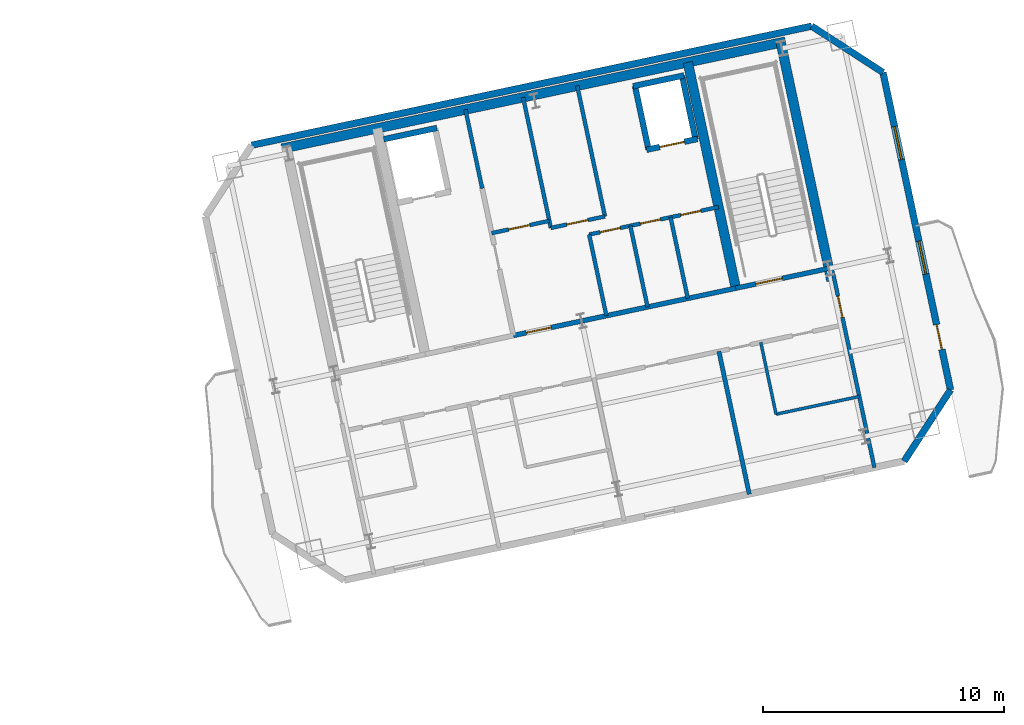
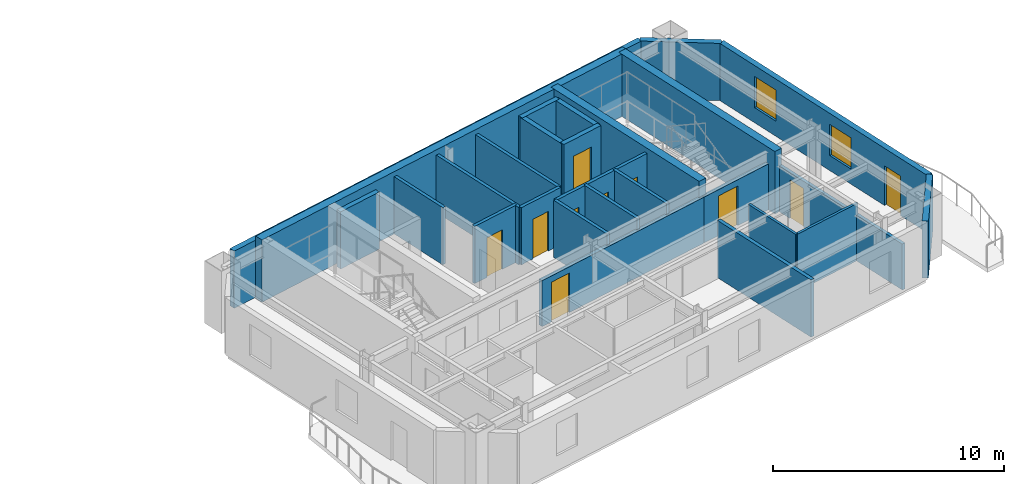
# One storey, part 8 of 13: 27 walls, 10 doors, 2 windows, 12 openings.
"""IFC4 building model written with IfcOpenShell, lengths in metres."""

import ifcopenshell
import ifcopenshell.guid

model = None  # the IFC model being written
_history = None  # IfcOwnerHistory: only IFC2X3 demands one
_inside = {}  # id of a spatial element -> (the spatial element, [elements in it])
_under = {}  # id of a project, library or spatial element -> (it, [spatial elements below it])
_declared = {}  # id of a project -> (the project, [libraries it declares])
_typed = {}  # id of a type object -> (the type object, [elements of that type])
_made_of = {}  # id of a material, layer set ... -> (it, [elements and type objects made of it])


def new_model(schema):
    """Start an empty IFC model of exactly this schema.

    Asked for "IFC4X3", IfcOpenShell would pick the latest addendum, in which some entities
    have other attributes; the version numbers below select the first issue.
    IFC2X3 requires an IfcOwnerHistory on every rooted entity: one is made here for all.
    """
    global model, _history
    if schema == "IFC4X3":
        model = ifcopenshell.file(schema_version=(4, 3, 0, 0))
    else:
        model = ifcopenshell.file(schema=schema)
    _inside.clear()
    _under.clear()
    _declared.clear()
    _typed.clear()
    _made_of.clear()
    _history = None
    if model.schema == "IFC2X3":
        org = make("IfcOrganization", Name="unknown")
        user = make(
            "IfcPersonAndOrganization",
            ThePerson=make("IfcPerson", FamilyName="unknown"),
            TheOrganization=org,
        )
        app = make(
            "IfcApplication",
            ApplicationDeveloper=org,
            Version="unknown",
            ApplicationFullName="unknown",
            ApplicationIdentifier="unknown",
        )
        _history = make(
            "IfcOwnerHistory",
            OwningUser=user,
            OwningApplication=app,
            ChangeAction="ADDED",
            CreationDate=0,
        )
    return model


def make(cls, **values):
    """One entity of the class cls with the attributes given. An attribute that is None is left unset."""
    return model.create_entity(
        cls, **{name: value for name, value in values.items() if value is not None}
    )


def rooted(cls, **values):
    """An entity with a GlobalId (a new one), such as an element, a storey or a relation."""
    return make(cls, GlobalId=ifcopenshell.guid.new(), OwnerHistory=_history, **values)


def si_unit(unit_type, name, prefix=None):
    """IfcSIUnit, for example si_unit("LENGTHUNIT", "METRE", prefix="MILLI")."""
    return make("IfcSIUnit", UnitType=unit_type, Prefix=prefix, Name=name)


def assignment(units):
    """IfcUnitAssignment: the units of a project."""
    return None if units is None else make("IfcUnitAssignment", Units=units)


def point(xyz):
    """IfcCartesianPoint."""
    return None if xyz is None else make("IfcCartesianPoint", Coordinates=xyz)


def direction(xyz):
    """IfcDirection."""
    return None if xyz is None else make("IfcDirection", DirectionRatios=xyz)


def frame(location, z_axis=None, x_axis=None):
    """IfcAxis2Placement3D, a coordinate frame: its origin and axes. An axis left out is left unset."""
    return make(
        "IfcAxis2Placement3D",
        Location=point(location),
        Axis=direction(z_axis),
        RefDirection=direction(x_axis),
    )


def frame_2d(location, x_axis=None):
    """IfcAxis2Placement2D, a coordinate frame in the plane: its origin and x axis."""
    return make(
        "IfcAxis2Placement2D", Location=point(location), RefDirection=direction(x_axis)
    )


def origin():
    """The frame at (0, 0, 0) with its axes left unset."""
    return frame((0.0, 0.0, 0.0))


def place(relative_to, where):
    """IfcLocalPlacement: puts the frame where relative to a parent placement (None: the world)."""
    return make(
        "IfcLocalPlacement", PlacementRelTo=relative_to, RelativePlacement=where
    )


def context(
    kind, dimensions, precision=None, world=None, true_north=None, identifier=None
):
    """IfcGeometricRepresentationContext, for example the 3D "Model" context."""
    return make(
        "IfcGeometricRepresentationContext",
        ContextIdentifier=identifier,
        ContextType=kind,
        CoordinateSpaceDimension=dimensions,
        Precision=precision,
        WorldCoordinateSystem=world,
        TrueNorth=true_north,
    )


def subcontext(parent, identifier, kind, view, scale=None):
    """IfcGeometricRepresentationSubContext, for example "Body" below "Model"."""
    return make(
        "IfcGeometricRepresentationSubContext",
        ContextIdentifier=identifier,
        ContextType=kind,
        ParentContext=parent,
        TargetScale=scale,
        TargetView=view,
    )


def project(units=None, contexts=None):
    """IfcProject with its units and contexts."""
    return rooted(
        "IfcProject",
        Name="project",
        RepresentationContexts=contexts,
        UnitsInContext=assignment(units),
    )


def spatial(cls, under=None, at=None, **own):
    """A site, building, storey or space (cls), placed at a placement, below another one or the project."""
    s = rooted(cls, ObjectPlacement=at, **own)
    if under is not None:
        _under.setdefault(under.id(), (under, []))[1].append(s)
    return s


def profile(cls, at=None, kind="AREA", **sizes):
    """A parametric profile (cls). Its sizes go by their IFC names, for example OverallWidth=200.0."""
    return make(cls, ProfileType=kind, Position=at, **sizes)


def rectangle(**sizes):
    """IfcRectangleProfileDef."""
    return profile("IfcRectangleProfileDef", **sizes)


def extrude(swept, where, along, depth):
    """IfcExtrudedAreaSolid: the profile swept, set in the frame where, extruded along a direction by depth."""
    return make(
        "IfcExtrudedAreaSolid",
        SweptArea=swept,
        Position=where,
        ExtrudedDirection=direction(along),
        Depth=depth,
    )


def shape(context_of_items, identifier, shape_type, items):
    """IfcShapeRepresentation: the items that make up one representation, for example the "Body"."""
    return make(
        "IfcShapeRepresentation",
        ContextOfItems=context_of_items,
        RepresentationIdentifier=identifier,
        RepresentationType=shape_type,
        Items=items,
    )


def material(Name=None, Category=None):
    """IfcMaterial."""
    return make("IfcMaterial", Name=Name, Category=Category)


def layer(
    of_material, thickness, ventilated=None, Name=None, Category=None, Priority=None
):
    """IfcMaterialLayer: one layer of a wall or slab, of a material (None: an air gap)."""
    return make(
        "IfcMaterialLayer",
        Material=of_material,
        LayerThickness=thickness,
        IsVentilated=ventilated,
        Name=Name,
        Category=Category,
        Priority=Priority,
    )


def layer_set(layers, Name=None):
    """IfcMaterialLayerSet."""
    return make("IfcMaterialLayerSet", MaterialLayers=layers, LayerSetName=Name)


def made_of(thing, what):
    """Note that an element or type object is made of a material, layer set ...; save() writes the relation."""
    if what is not None:
        _made_of.setdefault(what.id(), (what, []))[1].append(thing)
    return thing


def type_object(cls, material=None, **own):
    """A type object (cls), such as IfcWallType, which elements share."""
    return made_of(rooted(cls, **own), material)


def element(
    cls,
    number,
    at=None,
    inside=None,
    cuts=None,
    type_object=None,
    material=None,
    context=None,
    identifier="Body",
    shape_type=None,
    held_by="IfcProductDefinitionShape",
    body=None,
    shapes=None,
    **own,
):
    """One element of the class cls, such as IfcWall. Its Tag is "e" and its number.

    at: its placement. inside: the storey or other place that contains it. cuts: it is an
    opening in that element (IfcRelVoidsElement). A single representation is given by context,
    identifier, shape_type and body (its items); several are given by shapes. held_by: the class
    of the entity that holds the representations. save() writes the other relations.
    """
    e = rooted(cls, Tag="e%d" % number, ObjectPlacement=at, **own)
    if body is not None:
        shapes = [shape(context, identifier, shape_type, body)]
    if shapes is not None:
        e.Representation = make(held_by, Representations=shapes)
    if inside is not None:
        _inside.setdefault(inside.id(), (inside, []))[1].append(e)
    if cuts is not None:
        rooted(
            "IfcRelVoidsElement", RelatingBuildingElement=cuts, RelatedOpeningElement=e
        )
    if type_object is not None:
        _typed.setdefault(type_object.id(), (type_object, []))[1].append(e)
    return made_of(e, material)


def fill(opening, filler):
    """IfcRelFillsElement: the door or window that sits in an opening."""
    return rooted(
        "IfcRelFillsElement",
        RelatingOpeningElement=opening,
        RelatedBuildingElement=filler,
    )


def aggregate(whole, parts):
    """IfcRelAggregates: a whole, such as a stair, and the parts it consists of."""
    return rooted("IfcRelAggregates", RelatingObject=whole, RelatedObjects=parts)


def save(model, path):
    """Write the relations noted so far, then the file.

    IfcRelAggregates (storeys below a building ...), IfcRelContainedInSpatialStructure (elements
    in a storey), IfcRelDefinesByType, IfcRelAssociatesMaterial and IfcRelDeclares: one each for
    every whole, place, type object, material and project.
    """
    for whole, parts in _under.values():
        aggregate(whole, parts)
    for where, things in _inside.values():
        rooted(
            "IfcRelContainedInSpatialStructure",
            RelatedElements=things,
            RelatingStructure=where,
        )
    for kind, things in _typed.values():
        rooted("IfcRelDefinesByType", RelatedObjects=things, RelatingType=kind)
    for what, things in _made_of.values():
        rooted("IfcRelAssociatesMaterial", RelatedObjects=things, RelatingMaterial=what)
    for by, libraries in _declared.values():
        rooted("IfcRelDeclares", RelatingContext=by, RelatedDefinitions=libraries)
    model.write(path)


model = new_model("IFC4")

# Units and contexts
model_context = context("Model", 3, precision=1e-05, world=origin(), true_north=direction((0.0, 1.0)))
body_context = subcontext(model_context, "Body", "Model", "MODEL_VIEW")
ifc_project = project(units=[si_unit("LENGTHUNIT", "METRE"), si_unit("AREAUNIT", "SQUARE_METRE"), si_unit("VOLUMEUNIT", "CUBIC_METRE"), si_unit("PLANEANGLEUNIT", "RADIAN"), si_unit("MASSUNIT", "GRAM", prefix="KILO")], contexts=[model_context])

# Site, building, storey
site_placement = place(None, origin())
site = spatial("IfcSite", under=ifc_project, at=site_placement, CompositionType="ELEMENT")
building_placement = place(site_placement, origin())
building = spatial("IfcBuilding", under=site, at=building_placement, Name="Haevon Station Towers", CompositionType="ELEMENT")
storey_placement = place(building_placement, frame((0.0, 0.0, 222.0)))
storey = spatial("IfcBuildingStorey", under=building, at=storey_placement, Name="L61", CompositionType="ELEMENT", Elevation=222.0)

# Wall
ifc_material_1 = material(Name="Gypsum board on steel stud", Category="steel")
ifc_layer_1 = layer(ifc_material_1, 0.179931640625)
ifc_layer_set_1 = layer_set([ifc_layer_1], Name="Gypsum board on steel stud")
wall_type_1 = type_object("IfcWallType", Name="WL-ACU180", PredefinedType="PARTITIONING", material=ifc_layer_set_1)
wall_1_placement = place(storey_placement, frame((115.9892578125, 32.426513671875, 0.0), z_axis=(0.0, 0.0, 1.0), x_axis=(-0.207897237954, 0.978150672673, 0.0)))
element("IfcWall", 1, at=wall_1_placement, inside=storey, type_object=wall_type_1, Name="WL-T2PT-L61-09", PredefinedType="PARTITIONING", context=body_context, shape_type="SweptSolid", body=[
    extrude(rectangle(XDim=6.070068359375, YDim=0.179931640625, at=frame_2d((3.03515625, 0.0))), origin(), (0.0, 0.0, 1.0), 3.030029296875),
])

# Wall, opening, door
ifc_layer_2 = layer(ifc_material_1, 0.199951171875)
ifc_layer_set_2 = layer_set([ifc_layer_2], Name="Gypsum board on steel stud")
wall_type_2 = type_object("IfcWallType", Name="WL-COR200", PredefinedType="PARTITIONING", material=ifc_layer_set_2)
wall_2_placement = place(storey_placement, frame((115.4296875, 40.9873046875, 0.0), z_axis=(0.0, 0.0, 1.0), x_axis=(0.978146596989, 0.207916413008, 0.0)))
wall_2 = element("IfcWall", 2, at=wall_2_placement, inside=storey, type_object=wall_type_2, Name="WL-ST-ST4-L61", PredefinedType="PARTITIONING", context=body_context, shape_type="SweptSolid", body=[
    extrude(rectangle(XDim=3.9501953125, YDim=0.199951171875, at=frame_2d((1.97509765625, 0.0))), origin(), (0.0, 0.0, 1.0), 2.429931640625),
])
opening_1_placement = place(wall_2_placement, frame((0.85009765625, 0.0, 0.0)))
opening_1 = element("IfcOpeningElement", 3, at=opening_1_placement, cuts=wall_2, Name="Opening DR-ST-ST4-L61", PredefinedType="OPENING", context=body_context, shape_type="SweptSolid", body=[
    extrude(rectangle(XDim=1.1201171875, YDim=2.10009765625, at=frame_2d((0.56005859375, 1.050048828125))), frame((0.0, 0.10986328125, 0.0), z_axis=(0.0, -1.0, 0.0), x_axis=(1.0, 0.0, 0.0)), (0.0, 0.0, 1.0), 0.219970703125),
])
ifc_material_2 = material(Name="Engineered oak timber", Category="wood")
door_type_1 = type_object("IfcDoorType", Name="DR-ST-1120", OperationType="NOTDEFINED", PredefinedType="DOOR", material=ifc_material_2)
door_1_placement = place(opening_1_placement, origin())
door_1 = element("IfcDoor", 4, at=door_1_placement, inside=storey, type_object=door_type_1, Name="L61 Escape Stair ST4 Fire Door", OperationType="SINGLE_SWING_LEFT", OverallHeight=2.10009765625, OverallWidth=1.1201171875, PredefinedType="DOOR", context=body_context, shape_type="SweptSolid", body=[
    extrude(rectangle(XDim=1.1201171875, YDim=2.10009765625, at=frame_2d((0.56005859375, 1.050048828125))), frame((0.0, 0.02490234375, 0.0), z_axis=(0.0, -1.0, 0.0), x_axis=(1.0, 0.0, 0.0)), (0.0, 0.0, 1.0), 0.050048828125),
])
fill(opening_1, door_1)

wall_3_placement = place(storey_placement, frame((106.186279296875, 39.0224609375, 0.0), z_axis=(0.0, 0.0, 1.0), x_axis=(0.978145519981, 0.20792147975, 0.0)))
wall_3 = element("IfcWall", 5, at=wall_3_placement, inside=storey, type_object=wall_type_2, Name="WL-T2CLB-L61", PredefinedType="PARTITIONING", context=body_context, shape_type="SweptSolid", body=[
    extrude(rectangle(XDim=9.449951171875, YDim=0.199951171875, at=frame_2d((4.72509765625, 0.0))), origin(), (0.0, 0.0, 1.0), 2.429931640625),
])
opening_2_placement = place(wall_3_placement, frame((0.550048828125, 0.0, 0.0)))
opening_2 = element("IfcOpeningElement", 6, at=opening_2_placement, cuts=wall_3, Name="Opening DR-T2CLB-L61-1", PredefinedType="OPENING", context=body_context, shape_type="SweptSolid", body=[
    extrude(rectangle(XDim=1.050048828125, YDim=2.10009765625, at=frame_2d((0.52490234375, 1.050048828125))), frame((0.0, 0.10986328125, 0.0), z_axis=(0.0, -1.0, 0.0), x_axis=(1.0, 0.0, 0.0)), (0.0, 0.0, 1.0), 0.219970703125),
])
door_type_2 = type_object("IfcDoorType", Name="DR-FD60-1050", OperationType="NOTDEFINED", PredefinedType="DOOR", material=ifc_material_2)
door_2_placement = place(opening_2_placement, origin())
door_2 = element("IfcDoor", 7, at=door_2_placement, inside=storey, type_object=door_type_2, Name="L61 Tower 2 Core Lift Lobby Door 1", OperationType="SINGLE_SWING_RIGHT", OverallHeight=2.10009765625, OverallWidth=1.050048828125, PredefinedType="DOOR", context=body_context, shape_type="SweptSolid", body=[
    extrude(rectangle(XDim=1.050048828125, YDim=2.10009765625, at=frame_2d((0.52490234375, 1.050048828125))), frame((0.0, 0.02490234375, 0.0), z_axis=(0.0, -1.0, 0.0), x_axis=(1.0, 0.0, 0.0)), (0.0, 0.0, 1.0), 0.050048828125),
])
fill(opening_2, door_2)

# Walls
ifc_material_3 = material(Name="Concrete C60/75", Category="concrete")
ifc_layer_3 = layer(ifc_material_3, 0.39990234375)
ifc_layer_set_3 = layer_set([ifc_layer_3], Name="Concrete C60/75")
wall_type_3 = type_object("IfcWallType", Name="WL-CR400", PredefinedType="SHEAR", material=ifc_layer_set_3)
wall_4_placement = place(storey_placement, frame((96.560791015625, 46.791015625, 0.0), z_axis=(0.0, 0.0, 1.0), x_axis=(0.978148498705, 0.207907466152, 0.0)))
element("IfcWall", 8, at=wall_4_placement, inside=storey, type_object=wall_type_3, Name="WL-T2CR-L61-N", PredefinedType="SHEAR", context=body_context, shape_type="SweptSolid", body=[
    extrude(rectangle(XDim=21.39990234375, YDim=0.39990234375, at=frame_2d((10.699951171875, 0.0))), origin(), (0.0, 0.0, 1.0), 3.300048828125),
])
wall_5_placement = place(storey_placement, frame((119.401611328125, 41.2998046875, 0.0), z_axis=(0.0, 0.0, 1.0), x_axis=(-0.207904342798, 0.978149162575, 0.0)))
element("IfcWall", 9, at=wall_5_placement, inside=storey, type_object=wall_type_3, Name="WL-T2CR-L61-E", PredefinedType="SHEAR", context=body_context, shape_type="SweptSolid", body=[
    extrude(rectangle(XDim=10.1201171875, YDim=0.39990234375, at=frame_2d((5.06005859375, 0.0))), origin(), (0.0, 0.0, 1.0), 3.300048828125),
])
wall_6_placement = place(storey_placement, frame((115.4296875, 40.9873046875, 0.0), z_axis=(0.0, 0.0, 1.0), x_axis=(-0.207903162969, 0.978149413345, 0.0)))
element("IfcWall", 10, at=wall_6_placement, inside=storey, type_object=wall_type_3, Name="WL-T2CR-L61-M2", PredefinedType="SHEAR", context=body_context, shape_type="SweptSolid", body=[
    extrude(rectangle(XDim=9.599853515625, YDim=0.39990234375, at=frame_2d((4.7998046875, 0.0))), origin(), (0.0, 0.0, 1.0), 3.300048828125),
])
ifc_material_4 = material(Name="Precast concrete C45/55", Category="concrete")
ifc_layer_4 = layer(ifc_material_4, 0.280029296875)
ifc_layer_set_4 = layer_set([ifc_layer_4], Name="Precast concrete C45/55")
wall_type_4 = type_object("IfcWallType", Name="WL-EXT-PIER280", PredefinedType="SOLIDWALL", material=ifc_layer_set_4)
wall_7_placement = place(storey_placement, frame((95.3037109375, 46.932861328125, 0.0), z_axis=(0.0, 0.0, 1.0), x_axis=(0.978148291113, 0.207908442811, 0.0)))
element("IfcWall", 11, at=wall_7_placement, inside=storey, type_object=wall_type_4, Name="WL-T2-L61-N", PredefinedType="SOLIDWALL", context=body_context, shape_type="SweptSolid", body=[
    extrude(rectangle(XDim=23.800048828125, YDim=0.280029296875, at=frame_2d((11.89990234375, 0.0))), origin(), (0.0, 0.0, 1.0), 3.030029296875),
])
wall_8_placement = place(storey_placement, frame((118.583740234375, 51.881103515625, 0.0), z_axis=(0.0, 0.0, 1.0), x_axis=(0.838672309694, -0.544636352948, 0.0)))
element("IfcWall", 12, at=wall_8_placement, inside=storey, type_object=wall_type_4, Name="WL-T2-L61-NEC", PredefinedType="SOLIDWALL", context=body_context, shape_type="SweptSolid", body=[
    extrude(rectangle(XDim=3.535400390625, YDim=0.280029296875, at=frame_2d((1.767578125, 0.0))), origin(), (0.0, 0.0, 1.0), 3.030029296875),
])

# Wall, openings, door, windows
wall_9_placement = place(storey_placement, frame((121.548828125, 49.95556640625, 0.0), z_axis=(0.0, 0.0, 1.0), x_axis=(0.207907239961, -0.978148546782, 0.0)))
wall_9 = element("IfcWall", 13, at=wall_9_placement, inside=storey, type_object=wall_type_4, Name="WL-T2-L61-E", PredefinedType="SOLIDWALL", context=body_context, shape_type="SweptSolid", body=[
    extrude(rectangle(XDim=13.489990234375, YDim=0.280029296875, at=frame_2d((6.7451171875, 0.0))), origin(), (0.0, 0.0, 1.0), 3.030029296875),
])
opening_3_placement = place(wall_9_placement, frame((10.719970703125, 0.0, 0.0)))
opening_3 = element("IfcOpeningElement", 14, at=opening_3_placement, cuts=wall_9, Name="Opening DR-T2-SCAL-L61-E", PredefinedType="OPENING", context=body_context, shape_type="SweptSolid", body=[
    extrude(rectangle(XDim=1.050048828125, YDim=2.10009765625, at=frame_2d((0.52490234375, 1.050048828125))), frame((0.0, 0.14990234375, 0.0), z_axis=(0.0, -1.0, 0.0), x_axis=(1.0, 0.0, 0.0)), (0.0, 0.0, 1.0), 0.300048828125),
])
opening_4_placement = place(wall_9_placement, frame((2.298583984375, 0.0, 0.800048828125)))
opening_4 = element("IfcOpeningElement", 15, at=opening_4_placement, cuts=wall_9, Name="Opening WN-END140", PredefinedType="OPENING", context=body_context, shape_type="SweptSolid", body=[
    extrude(rectangle(XDim=1.39990234375, YDim=1.64990234375, at=frame_2d((0.699951171875, 0.824951171875))), frame((0.0, 0.14990234375, 0.0), z_axis=(0.0, -1.0, 0.0), x_axis=(1.0, 0.0, 0.0)), (0.0, 0.0, 1.0), 0.300048828125),
])
opening_5_placement = place(wall_9_placement, frame((7.1689453125, 0.0, 0.800048828125)))
opening_5 = element("IfcOpeningElement", 16, at=opening_5_placement, cuts=wall_9, Name="Opening WN-END140", PredefinedType="OPENING", context=body_context, shape_type="SweptSolid", body=[
    extrude(rectangle(XDim=1.39990234375, YDim=1.64990234375, at=frame_2d((0.699951171875, 0.824951171875))), frame((0.0, 0.14990234375, 0.0), z_axis=(0.0, -1.0, 0.0), x_axis=(1.0, 0.0, 0.0)), (0.0, 0.0, 1.0), 0.300048828125),
])
ifc_material_5 = material(Name="Thermally broken anodised aluminium and laminated safety glass", Category="aluminium")
door_type_3 = type_object("IfcDoorType", Name="DR-BALC-1050", OperationType="NOTDEFINED", PredefinedType="DOOR", material=ifc_material_5)
door_3_placement = place(opening_3_placement, origin())
door_3 = element("IfcDoor", 17, at=door_3_placement, inside=storey, type_object=door_type_3, Name="Tower 2 L61 East Scalloped Balcony Door", OperationType="SINGLE_SWING_LEFT", OverallHeight=2.10009765625, OverallWidth=1.050048828125, PredefinedType="DOOR", context=body_context, shape_type="SweptSolid", body=[
    extrude(rectangle(XDim=1.050048828125, YDim=2.10009765625, at=frame_2d((0.52490234375, 1.050048828125))), frame((0.0, 0.02490234375, 0.0), z_axis=(0.0, -1.0, 0.0), x_axis=(1.0, 0.0, 0.0)), (0.0, 0.0, 1.0), 0.050048828125),
])
fill(opening_3, door_3)
ifc_material_6 = material(Name="Low-E triple glazing in thermally broken aluminium", Category="aluminium")
window_type = type_object("IfcWindowType", Name="WN-END140", PartitioningType="SINGLE_PANEL", PredefinedType="WINDOW", material=ifc_material_6)
window_1_placement = place(opening_4_placement, origin())
window_1 = element("IfcWindow", 18, at=window_1_placement, inside=storey, type_object=window_type, Name="WN-T2-L61-E01", OverallHeight=1.64990234375, OverallWidth=1.39990234375, PartitioningType="SINGLE_PANEL", PredefinedType="WINDOW", context=body_context, shape_type="SweptSolid", body=[
    extrude(rectangle(XDim=1.39990234375, YDim=1.64990234375, at=frame_2d((0.699951171875, 0.824951171875))), frame((0.0, 0.030029296875, 0.0), z_axis=(0.0, -1.0, 0.0), x_axis=(1.0, 0.0, 0.0)), (0.0, 0.0, 1.0), 0.06005859375),
])
fill(opening_4, window_1)
window_2_placement = place(opening_5_placement, origin())
window_2 = element("IfcWindow", 19, at=window_2_placement, inside=storey, type_object=window_type, Name="WN-T2-L61-E02", OverallHeight=1.64990234375, OverallWidth=1.39990234375, PartitioningType="SINGLE_PANEL", PredefinedType="WINDOW", context=body_context, shape_type="SweptSolid", body=[
    extrude(rectangle(XDim=1.39990234375, YDim=1.64990234375, at=frame_2d((0.699951171875, 0.824951171875))), frame((0.0, 0.030029296875, 0.0), z_axis=(0.0, -1.0, 0.0), x_axis=(1.0, 0.0, 0.0)), (0.0, 0.0, 1.0), 0.06005859375),
])
fill(opening_5, window_2)

# Walls
wall_10_placement = place(storey_placement, frame((124.353515625, 36.76025390625, 0.0), z_axis=(0.0, 0.0, 1.0), x_axis=(-0.544636352948, -0.838672309694, 0.0)))
element("IfcWall", 20, at=wall_10_placement, inside=storey, type_object=wall_type_4, Name="WL-T2-L61-SEC", PredefinedType="SOLIDWALL", context=body_context, shape_type="SweptSolid", body=[
    extrude(rectangle(XDim=3.535400390625, YDim=0.280029296875, at=frame_2d((1.767578125, 0.0))), origin(), (0.0, 0.0, 1.0), 3.030029296875),
])
ifc_layer_5 = layer(ifc_material_1, 0.125)
ifc_layer_set_5 = layer_set([ifc_layer_5], Name="Gypsum board on steel stud")
wall_type_5 = type_object("IfcWallType", Name="WL-PRT125", PredefinedType="PARTITIONING", material=ifc_layer_set_5)
wall_11_placement = place(storey_placement, frame((117.1025390625, 35.750732421875, 0.0), z_axis=(0.0, 0.0, 1.0), x_axis=(0.978155518159, 0.207874438771, 0.0)))
element("IfcWall", 21, at=wall_11_placement, inside=storey, type_object=wall_type_5, Name="WL-T2PT-L61-10", PredefinedType="PARTITIONING", context=body_context, shape_type="SweptSolid", body=[
    extrude(rectangle(XDim=3.53759765625, YDim=0.125, at=frame_2d((1.768798828125, 0.0))), origin(), (0.0, 0.0, 1.0), 3.030029296875),
])
wall_12_placement = place(storey_placement, frame((117.1025390625, 35.750732421875, 0.0), z_axis=(0.0, 0.0, 1.0), x_axis=(-0.207877902534, 0.978154782045, 0.0)))
element("IfcWall", 22, at=wall_12_placement, inside=storey, type_object=wall_type_5, Name="WL-T2PT-L61-11", PredefinedType="PARTITIONING", context=body_context, shape_type="SweptSolid", body=[
    extrude(rectangle(XDim=3.050048828125, YDim=0.125, at=frame_2d((1.52490234375, 0.0))), origin(), (0.0, 0.0, 1.0), 3.030029296875),
])
ifc_layer_6 = layer(ifc_material_1, 0.159912109375)
ifc_layer_set_6 = layer_set([ifc_layer_6], Name="Gypsum board on steel stud")
wall_type_6 = type_object("IfcWallType", Name="WL-PRT160", PredefinedType="PARTITIONING", material=ifc_layer_set_6)
wall_13_placement = place(storey_placement, frame((104.88671875, 45.135986328125, 0.0), z_axis=(0.0, 0.0, 1.0), x_axis=(-0.207846553267, 0.978161443881, 0.0)))
element("IfcWall", 23, at=wall_13_placement, inside=storey, type_object=wall_type_6, Name="WL-T2CW-L61-01", PredefinedType="PARTITIONING", context=body_context, shape_type="SweptSolid", body=[
    extrude(rectangle(XDim=3.35009765625, YDim=0.159912109375, at=frame_2d((1.675048828125, 0.0))), origin(), (0.0, 0.0, 1.0), 3.030029296875),
])

# Wall, opening, door
wall_14_placement = place(storey_placement, frame((105.28173828125, 43.277587890625, 0.0), z_axis=(0.0, 0.0, 1.0), x_axis=(0.978156824814, 0.207868290196, 0.0)))
wall_14 = element("IfcWall", 24, at=wall_14_placement, inside=storey, type_object=wall_type_6, Name="WL-T2CW-L61-02", PredefinedType="PARTITIONING", context=body_context, shape_type="SweptSolid", body=[
    extrude(rectangle(XDim=2.449951171875, YDim=0.159912109375, at=frame_2d((1.22509765625, 0.0))), origin(), (0.0, 0.0, 1.0), 3.030029296875),
])
opening_6_placement = place(wall_14_placement, frame((0.719970703125, 0.0, 0.0)))
opening_6 = element("IfcOpeningElement", 25, at=opening_6_placement, cuts=wall_14, Name="Opening DR-WL-T2CW-L61-02-1", PredefinedType="OPENING", context=body_context, shape_type="SweptSolid", body=[
    extrude(rectangle(XDim=0.89990234375, YDim=2.10009765625, at=frame_2d((0.449951171875, 1.050048828125))), frame((0.0, 0.08984375, 0.0), z_axis=(0.0, -1.0, 0.0), x_axis=(1.0, 0.0, 0.0)), (0.0, 0.0, 1.0), 0.179931640625),
])
door_type_4 = type_object("IfcDoorType", Name="DR-FD60-900", OperationType="NOTDEFINED", PredefinedType="DOOR", material=ifc_material_2)
door_4_placement = place(opening_6_placement, origin())
door_4 = element("IfcDoor", 26, at=door_4_placement, inside=storey, type_object=door_type_4, Name="L61 Tower 2 Core Room Door 2-1", OperationType="SINGLE_SWING_LEFT", OverallHeight=2.10009765625, OverallWidth=0.89990234375, PredefinedType="DOOR", context=body_context, shape_type="SweptSolid", body=[
    extrude(rectangle(XDim=0.89990234375, YDim=2.10009765625, at=frame_2d((0.449951171875, 1.050048828125))), frame((0.0, 0.02490234375, 0.0), z_axis=(0.0, -1.0, 0.0), x_axis=(1.0, 0.0, 0.0)), (0.0, 0.0, 1.0), 0.050048828125),
])
fill(opening_6, door_4)

# Wall
wall_15_placement = place(storey_placement, frame((107.74072265625, 43.493408203125, 0.0), z_axis=(0.0, 0.0, 1.0), x_axis=(-0.207936619013, 0.97814230175, 0.0)))
element("IfcWall", 27, at=wall_15_placement, inside=storey, type_object=wall_type_6, Name="WL-T2CW-L61-03", PredefinedType="PARTITIONING", context=body_context, shape_type="SweptSolid", body=[
    extrude(rectangle(XDim=5.550048828125, YDim=0.159912109375, at=frame_2d((2.77490234375, 0.0))), origin(), (0.0, 0.0, 1.0), 3.030029296875),
])

# Wall, opening, door
wall_16_placement = place(storey_placement, frame((107.74072265625, 43.493408203125, 0.0), z_axis=(0.0, 0.0, 1.0), x_axis=(0.978141312374, 0.207941273027, 0.0)))
wall_16 = element("IfcWall", 28, at=wall_16_placement, inside=storey, type_object=wall_type_6, Name="WL-T2CW-L61-04", PredefinedType="PARTITIONING", context=body_context, shape_type="SweptSolid", body=[
    extrude(rectangle(XDim=2.300048828125, YDim=0.159912109375, at=frame_2d((1.14990234375, 0.0))), origin(), (0.0, 0.0, 1.0), 3.030029296875),
])
opening_7_placement = place(wall_16_placement, frame((0.679931640625, 0.0, 0.0)))
opening_7 = element("IfcOpeningElement", 29, at=opening_7_placement, cuts=wall_16, Name="Opening DR-WL-T2CW-L61-04-1", PredefinedType="OPENING", context=body_context, shape_type="SweptSolid", body=[
    extrude(rectangle(XDim=0.89990234375, YDim=2.10009765625, at=frame_2d((0.449951171875, 1.050048828125))), frame((0.0, 0.08984375, 0.0), z_axis=(0.0, -1.0, 0.0), x_axis=(1.0, 0.0, 0.0)), (0.0, 0.0, 1.0), 0.179931640625),
])
door_5_placement = place(opening_7_placement, origin())
door_5 = element("IfcDoor", 30, at=door_5_placement, inside=storey, type_object=door_type_4, Name="L61 Tower 2 Core Room Door 4-1", OperationType="SINGLE_SWING_RIGHT", OverallHeight=2.10009765625, OverallWidth=0.89990234375, PredefinedType="DOOR", context=body_context, shape_type="SweptSolid", body=[
    extrude(rectangle(XDim=0.89990234375, YDim=2.10009765625, at=frame_2d((0.449951171875, 1.050048828125))), frame((0.0, 0.02490234375, 0.0), z_axis=(0.0, -1.0, 0.0), x_axis=(1.0, 0.0, 0.0)), (0.0, 0.0, 1.0), 0.050048828125),
])
fill(opening_7, door_5)

# Walls
wall_17_placement = place(storey_placement, frame((109.990478515625, 43.9716796875, 0.0), z_axis=(0.0, 0.0, 1.0), x_axis=(-0.207936619013, 0.97814230175, 0.0)))
element("IfcWall", 31, at=wall_17_placement, inside=storey, type_object=wall_type_6, Name="WL-T2CW-L61-05", PredefinedType="PARTITIONING", context=body_context, shape_type="SweptSolid", body=[
    extrude(rectangle(XDim=5.550048828125, YDim=0.159912109375, at=frame_2d((2.77490234375, 0.0))), origin(), (0.0, 0.0, 1.0), 3.030029296875),
])
for number, where, z_axis, x_axis, name in (
    (32, (110.050048828125, 39.84375, 0.0), (0.0, 0.0, 1.0), (-0.207900225061, 0.978150037785, 0.0), "WL-T2CW-L61-06"),
    (33, (111.76171875, 40.20751953125, 0.0), (0.0, 0.0, 1.0), (-0.207900225061, 0.978150037785, 0.0), "WL-T2CW-L61-07"),
):
    element("IfcWall", number, at=place(storey_placement, frame(where, z_axis=z_axis, x_axis=x_axis)), inside=storey, type_object=wall_type_6, Name=name, PredefinedType="PARTITIONING", context=body_context, shape_type="SweptSolid", body=[
        extrude(rectangle(XDim=3.4501953125, YDim=0.159912109375, at=frame_2d((1.72509765625, 0.0))), origin(), (0.0, 0.0, 1.0), 3.030029296875),
    ])
wall_18_placement = place(storey_placement, frame((113.434326171875, 40.563232421875, 0.0), z_axis=(0.0, 0.0, 1.0), x_axis=(-0.207914616127, 0.978146978935, 0.0)))
element("IfcWall", 34, at=wall_18_placement, inside=storey, type_object=wall_type_6, Name="WL-T2CW-L61-08", PredefinedType="PARTITIONING", context=body_context, shape_type="SweptSolid", body=[
    extrude(rectangle(XDim=3.449951171875, YDim=0.159912109375, at=frame_2d((1.72509765625, 0.0))), origin(), (0.0, 0.0, 1.0), 3.030029296875),
])

# Wall, openings, doors
wall_19_placement = place(storey_placement, frame((109.332763671875, 43.218505859375, 0.0), z_axis=(0.0, 0.0, 1.0), x_axis=(0.978153773776, 0.207882646816, 0.0)))
wall_19 = element("IfcWall", 35, at=wall_19_placement, inside=storey, type_object=wall_type_6, Name="WL-T2CW-L61-09", PredefinedType="PARTITIONING", context=body_context, shape_type="SweptSolid", body=[
    extrude(rectangle(XDim=5.499755859375, YDim=0.159912109375, at=frame_2d((2.75, 0.0))), origin(), (0.0, 0.0, 1.0), 3.030029296875),
])
opening_8_placement = place(wall_19_placement, frame((0.469970703125, 0.0, 0.0)))
opening_8 = element("IfcOpeningElement", 36, at=opening_8_placement, cuts=wall_19, Name="Opening DR-WL-T2CW-L61-09-1", PredefinedType="OPENING", context=body_context, shape_type="SweptSolid", body=[
    extrude(rectangle(XDim=0.85009765625, YDim=2.050048828125, at=frame_2d((0.425048828125, 1.02490234375))), frame((0.0, 0.08984375, 0.0), z_axis=(0.0, -1.0, 0.0), x_axis=(1.0, 0.0, 0.0)), (0.0, 0.0, 1.0), 0.179931640625),
])
opening_9_placement = place(wall_19_placement, frame((2.179931640625, 0.0, 0.0)))
opening_9 = element("IfcOpeningElement", 37, at=opening_9_placement, cuts=wall_19, Name="Opening DR-WL-T2CW-L61-09-2", PredefinedType="OPENING", context=body_context, shape_type="SweptSolid", body=[
    extrude(rectangle(XDim=0.85009765625, YDim=2.050048828125, at=frame_2d((0.425048828125, 1.02490234375))), frame((0.0, 0.08984375, 0.0), z_axis=(0.0, -1.0, 0.0), x_axis=(1.0, 0.0, 0.0)), (0.0, 0.0, 1.0), 0.179931640625),
])
opening_10_placement = place(wall_19_placement, frame((3.89501953125, 0.0, 0.0)))
opening_10 = element("IfcOpeningElement", 38, at=opening_10_placement, cuts=wall_19, Name="Opening DR-WL-T2CW-L61-09-3", PredefinedType="OPENING", context=body_context, shape_type="SweptSolid", body=[
    extrude(rectangle(XDim=0.85009765625, YDim=2.050048828125, at=frame_2d((0.425048828125, 1.02490234375))), frame((0.0, 0.08984375, 0.0), z_axis=(0.0, -1.0, 0.0), x_axis=(1.0, 0.0, 0.0)), (0.0, 0.0, 1.0), 0.179931640625),
])
door_type_5 = type_object("IfcDoorType", Name="DR-FD30-850", OperationType="NOTDEFINED", PredefinedType="DOOR", material=ifc_material_2)
door_6_placement = place(opening_8_placement, origin())
door_6 = element("IfcDoor", 39, at=door_6_placement, inside=storey, type_object=door_type_5, Name="L61 Tower 2 Core Room Door 9-1", OperationType="SINGLE_SWING_LEFT", OverallHeight=2.050048828125, OverallWidth=0.85009765625, PredefinedType="DOOR", context=body_context, shape_type="SweptSolid", body=[
    extrude(rectangle(XDim=0.85009765625, YDim=2.050048828125, at=frame_2d((0.425048828125, 1.02490234375))), frame((0.0, 0.02490234375, 0.0), z_axis=(0.0, -1.0, 0.0), x_axis=(1.0, 0.0, 0.0)), (0.0, 0.0, 1.0), 0.050048828125),
])
fill(opening_8, door_6)
door_7_placement = place(opening_9_placement, origin())
door_7 = element("IfcDoor", 40, at=door_7_placement, inside=storey, type_object=door_type_5, Name="L61 Tower 2 Core Room Door 9-2", OperationType="SINGLE_SWING_RIGHT", OverallHeight=2.050048828125, OverallWidth=0.85009765625, PredefinedType="DOOR", context=body_context, shape_type="SweptSolid", body=[
    extrude(rectangle(XDim=0.85009765625, YDim=2.050048828125, at=frame_2d((0.425048828125, 1.02490234375))), frame((0.0, 0.02490234375, 0.0), z_axis=(0.0, -1.0, 0.0), x_axis=(1.0, 0.0, 0.0)), (0.0, 0.0, 1.0), 0.050048828125),
])
fill(opening_9, door_7)
door_8_placement = place(opening_10_placement, origin())
door_8 = element("IfcDoor", 41, at=door_8_placement, inside=storey, type_object=door_type_5, Name="L61 Tower 2 Core Room Door 9-3", OperationType="SINGLE_SWING_LEFT", OverallHeight=2.050048828125, OverallWidth=0.85009765625, PredefinedType="DOOR", context=body_context, shape_type="SweptSolid", body=[
    extrude(rectangle(XDim=0.85009765625, YDim=2.050048828125, at=frame_2d((0.425048828125, 1.02490234375))), frame((0.0, 0.02490234375, 0.0), z_axis=(0.0, -1.0, 0.0), x_axis=(1.0, 0.0, 0.0)), (0.0, 0.0, 1.0), 0.050048828125),
])
fill(opening_10, door_8)

# Wall, opening, door
wall_20_placement = place(storey_placement, frame((121.190673828125, 33.5322265625, 0.0), z_axis=(0.0, 0.0, 1.0), x_axis=(-0.207922572799, 0.978145287634, 0.0)))
wall_20 = element("IfcWall", 42, at=wall_20_placement, inside=storey, type_object=wall_type_6, Name="WL-T2PT-L61-02", PredefinedType="PARTITIONING", context=body_context, shape_type="SweptSolid", body=[
    extrude(rectangle(XDim=8.18994140625, YDim=0.159912109375, at=frame_2d((4.094970703125, 0.0))), origin(), (0.0, 0.0, 1.0), 2.429931640625),
])
opening_11_placement = place(wall_20_placement, frame((6.389892578125, 0.0, 0.0)))
opening_11 = element("IfcOpeningElement", 43, at=opening_11_placement, cuts=wall_20, Name="Opening DR-WL-T2PT-L61-02-01", PredefinedType="OPENING", context=body_context, shape_type="SweptSolid", body=[
    extrude(rectangle(XDim=0.89990234375, YDim=2.050048828125, at=frame_2d((0.449951171875, 1.02490234375))), frame((0.0, 0.08984375, 0.0), z_axis=(0.0, -1.0, 0.0), x_axis=(1.0, 0.0, 0.0)), (0.0, 0.0, 1.0), 0.179931640625),
])
door_type_6 = type_object("IfcDoorType", Name="DR-INT-900", OperationType="NOTDEFINED", PredefinedType="DOOR", material=ifc_material_2)
door_9_placement = place(opening_11_placement, origin())
door_9 = element("IfcDoor", 44, at=door_9_placement, inside=storey, type_object=door_type_6, Name="L61 Tower 2 Room Door 2-1", OperationType="SINGLE_SWING_LEFT", OverallHeight=2.050048828125, OverallWidth=0.89990234375, PredefinedType="DOOR", context=body_context, shape_type="SweptSolid", body=[
    extrude(rectangle(XDim=0.89990234375, YDim=2.050048828125, at=frame_2d((0.449951171875, 1.02490234375))), frame((0.0, 0.02490234375, 0.0), z_axis=(0.0, -1.0, 0.0), x_axis=(1.0, 0.0, 0.0)), (0.0, 0.0, 1.0), 0.050048828125),
])
fill(opening_11, door_9)

# Wall
ifc_material_7 = material(Name="Concrete C40/50", Category="concrete")
ifc_layer_7 = layer(ifc_material_7, 0.239990234375)
ifc_layer_set_7 = layer_set([ifc_layer_7], Name="Concrete C40/50")
wall_type_7 = type_object("IfcWallType", Name="WL-SHF240", PredefinedType="PARTITIONING", material=ifc_layer_set_7)
wall_21_placement = place(storey_placement, frame((100.79248046875, 47.179443359375, 0.0), z_axis=(0.0, 0.0, 1.0), x_axis=(0.978162968872, 0.207839376268, 0.0)))
element("IfcWall", 45, at=wall_21_placement, inside=storey, type_object=wall_type_7, Name="WL-SHF-FL2-L61-N", PredefinedType="PARTITIONING", context=body_context, shape_type="SweptSolid", body=[
    extrude(rectangle(XDim=2.260009765625, YDim=0.239990234375, at=frame_2d((1.1298828125, 0.0))), origin(), (0.0, 0.0, 1.0), 3.030029296875),
])

# Wall, opening, door
wall_22_placement = place(storey_placement, frame((111.72216796875, 46.7421875, 0.0), z_axis=(0.0, 0.0, 1.0), x_axis=(0.97813528961, 0.207969601673, 0.0)))
wall_22 = element("IfcWall", 46, at=wall_22_placement, inside=storey, type_object=wall_type_7, Name="WL-SHF-PL10-L61", PredefinedType="PARTITIONING", context=body_context, shape_type="SweptSolid", body=[
    extrude(rectangle(XDim=2.159912109375, YDim=0.239990234375, at=frame_2d((1.080078125, 0.0))), origin(), (0.0, 0.0, 1.0), 3.030029296875),
])
opening_12_placement = place(wall_22_placement, frame((0.554931640625, 0.0, 0.0)))
opening_12 = element("IfcOpeningElement", 47, at=opening_12_placement, cuts=wall_22, Name="Opening LD-PL10-L61", PredefinedType="OPENING", context=body_context, shape_type="SweptSolid", body=[
    extrude(rectangle(XDim=1.050048828125, YDim=2.14990234375, at=frame_2d((0.52490234375, 1.074951171875))), frame((0.0, 0.1298828125, 0.0), z_axis=(0.0, -1.0, 0.0), x_axis=(1.0, 0.0, 0.0)), (0.0, 0.0, 1.0), 0.260009765625),
])
ifc_material_8 = material(Name="Stainless steel and rated core", Category="steel")
door_type_7 = type_object("IfcDoorType", Name="LD-PL1050", OperationType="SLIDING_TO_LEFT", PredefinedType="DOOR", material=ifc_material_8)
door_10_placement = place(opening_12_placement, origin())
door_10 = element("IfcDoor", 48, at=door_10_placement, inside=storey, type_object=door_type_7, Name="L61 Lift PL10 Sliding Landing Door", OperationType="SLIDING_TO_LEFT", OverallHeight=2.14990234375, OverallWidth=1.050048828125, PredefinedType="DOOR", context=body_context, shape_type="SweptSolid", body=[
    extrude(rectangle(XDim=1.050048828125, YDim=2.14990234375, at=frame_2d((0.52490234375, 1.074951171875))), frame((0.0, 0.02490234375, 0.0), z_axis=(0.0, -1.0, 0.0), x_axis=(1.0, 0.0, 0.0)), (0.0, 0.0, 1.0), 0.050048828125),
])
fill(opening_12, door_10)

# Walls
wall_23_placement = place(storey_placement, frame((111.160888671875, 49.38330078125, 0.0), z_axis=(0.0, 0.0, 1.0), x_axis=(0.978158276388, 0.207861459473, 0.0)))
element("IfcWall", 49, at=wall_23_placement, inside=storey, type_object=wall_type_7, Name="WL-SHF-PL10-L61-N", PredefinedType="PARTITIONING", context=body_context, shape_type="SweptSolid", body=[
    extrude(rectangle(XDim=2.159912109375, YDim=0.239990234375, at=frame_2d((1.080078125, 0.0))), origin(), (0.0, 0.0, 1.0), 3.030029296875),
])
for number, where, z_axis, x_axis, name in (
    (50, (111.800537109375, 46.7587890625, 0.0), (0.0, 0.0, 1.0), (-0.207960405185, 0.978137244908, 0.0), "WL-SHF-PL10-L61-W"),
    (51, (113.7568359375, 47.174560546875, 0.0), (0.0, 0.0, 1.0), (-0.207960405185, 0.978137244908, 0.0), "WL-SHF-PL10-L61-E"),
):
    element("IfcWall", number, at=place(storey_placement, frame(where, z_axis=z_axis, x_axis=x_axis)), inside=storey, type_object=wall_type_7, Name=name, PredefinedType="PARTITIONING", context=body_context, shape_type="SweptSolid", body=[
        extrude(rectangle(XDim=2.7001953125, YDim=0.239990234375, at=frame_2d((1.35009765625, 0.0))), origin(), (0.0, 0.0, 1.0), 3.030029296875),
    ])

save(model, "model.ifc")
